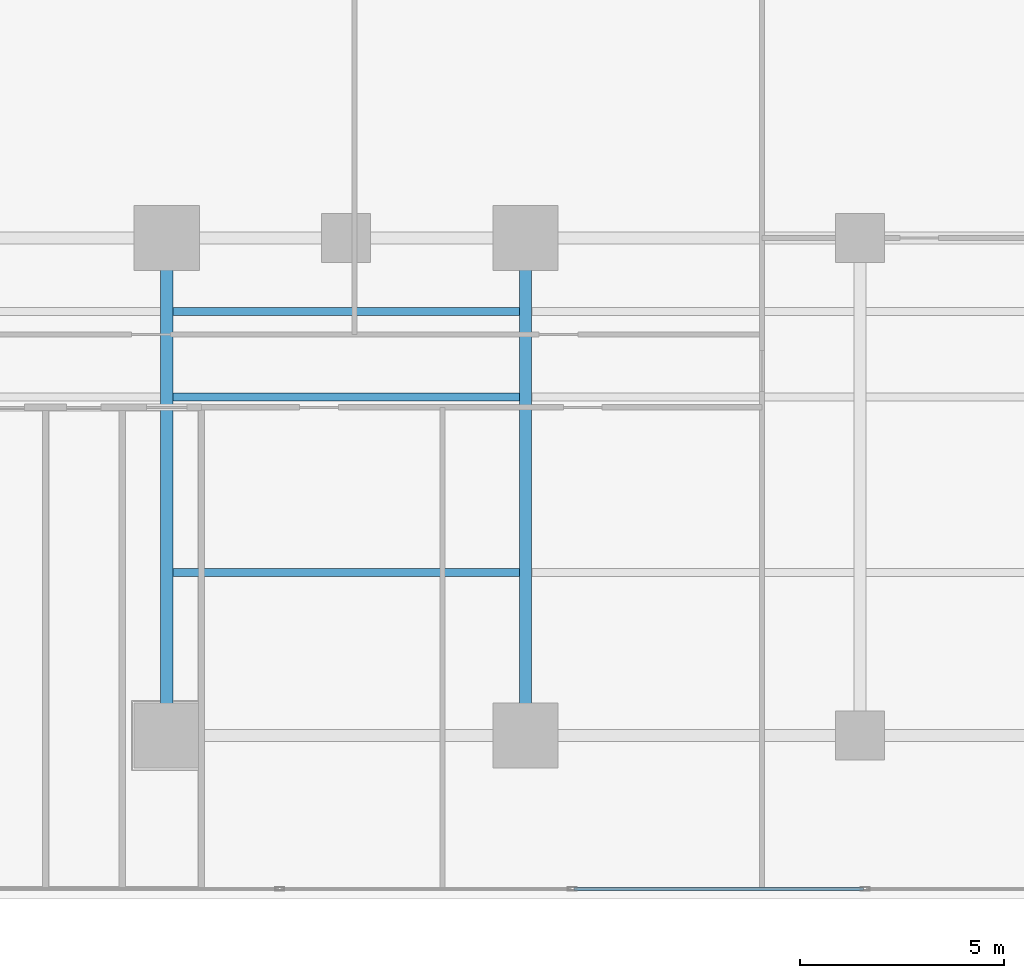
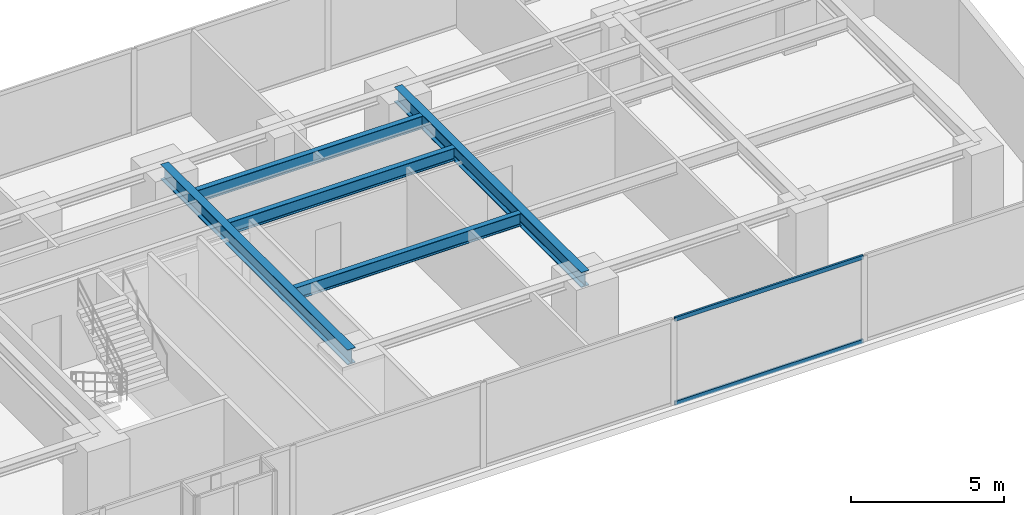
# One storey, part 10 of 28: 5 beams, 2 members, 1 element without a shape of its own.
"""IFC4 building model written with IfcOpenShell, lengths in metres."""

import ifcopenshell
import ifcopenshell.guid

model = None  # the IFC model being written
_history = None  # IfcOwnerHistory: only IFC2X3 demands one
_inside = {}  # id of a spatial element -> (the spatial element, [elements in it])
_under = {}  # id of a project, library or spatial element -> (it, [spatial elements below it])
_declared = {}  # id of a project -> (the project, [libraries it declares])
_typed = {}  # id of a type object -> (the type object, [elements of that type])
_made_of = {}  # id of a material, layer set ... -> (it, [elements and type objects made of it])


def new_model(schema):
    """Start an empty IFC model of exactly this schema.

    Asked for "IFC4X3", IfcOpenShell would pick the latest addendum, in which some entities
    have other attributes; the version numbers below select the first issue.
    IFC2X3 requires an IfcOwnerHistory on every rooted entity: one is made here for all.
    """
    global model, _history
    if schema == "IFC4X3":
        model = ifcopenshell.file(schema_version=(4, 3, 0, 0))
    else:
        model = ifcopenshell.file(schema=schema)
    _inside.clear()
    _under.clear()
    _declared.clear()
    _typed.clear()
    _made_of.clear()
    _history = None
    if model.schema == "IFC2X3":
        org = make("IfcOrganization", Name="unknown")
        user = make(
            "IfcPersonAndOrganization",
            ThePerson=make("IfcPerson", FamilyName="unknown"),
            TheOrganization=org,
        )
        app = make(
            "IfcApplication",
            ApplicationDeveloper=org,
            Version="unknown",
            ApplicationFullName="unknown",
            ApplicationIdentifier="unknown",
        )
        _history = make(
            "IfcOwnerHistory",
            OwningUser=user,
            OwningApplication=app,
            ChangeAction="ADDED",
            CreationDate=0,
        )
    return model


def make(cls, **values):
    """One entity of the class cls with the attributes given. An attribute that is None is left unset."""
    return model.create_entity(
        cls, **{name: value for name, value in values.items() if value is not None}
    )


def rooted(cls, **values):
    """An entity with a GlobalId (a new one), such as an element, a storey or a relation."""
    return make(cls, GlobalId=ifcopenshell.guid.new(), OwnerHistory=_history, **values)


def si_unit(unit_type, name, prefix=None):
    """IfcSIUnit, for example si_unit("LENGTHUNIT", "METRE", prefix="MILLI")."""
    return make("IfcSIUnit", UnitType=unit_type, Prefix=prefix, Name=name)


def assignment(units):
    """IfcUnitAssignment: the units of a project."""
    return None if units is None else make("IfcUnitAssignment", Units=units)


def point(xyz):
    """IfcCartesianPoint."""
    return None if xyz is None else make("IfcCartesianPoint", Coordinates=xyz)


def direction(xyz):
    """IfcDirection."""
    return None if xyz is None else make("IfcDirection", DirectionRatios=xyz)


def frame(location, z_axis=None, x_axis=None):
    """IfcAxis2Placement3D, a coordinate frame: its origin and axes. An axis left out is left unset."""
    return make(
        "IfcAxis2Placement3D",
        Location=point(location),
        Axis=direction(z_axis),
        RefDirection=direction(x_axis),
    )


def frame_2d(location, x_axis=None):
    """IfcAxis2Placement2D, a coordinate frame in the plane: its origin and x axis."""
    return make(
        "IfcAxis2Placement2D", Location=point(location), RefDirection=direction(x_axis)
    )


def origin():
    """The frame at (0, 0, 0) with its axes left unset."""
    return frame((0.0, 0.0, 0.0))


def origin_with_axes():
    """The frame at (0, 0, 0) with the z axis (0, 0, 1) and the x axis (1, 0, 0) written out."""
    return frame((0.0, 0.0, 0.0), z_axis=(0.0, 0.0, 1.0), x_axis=(1.0, 0.0, 0.0))


def origin_2d():
    """The frame at (0, 0) in the plane with its x axis left unset."""
    return frame_2d((0.0, 0.0))


def place(relative_to, where):
    """IfcLocalPlacement: puts the frame where relative to a parent placement (None: the world)."""
    return make(
        "IfcLocalPlacement", PlacementRelTo=relative_to, RelativePlacement=where
    )


def context(
    kind, dimensions, precision=None, world=None, true_north=None, identifier=None
):
    """IfcGeometricRepresentationContext, for example the 3D "Model" context."""
    return make(
        "IfcGeometricRepresentationContext",
        ContextIdentifier=identifier,
        ContextType=kind,
        CoordinateSpaceDimension=dimensions,
        Precision=precision,
        WorldCoordinateSystem=world,
        TrueNorth=true_north,
    )


def subcontext(parent, identifier, kind, view, scale=None):
    """IfcGeometricRepresentationSubContext, for example "Body" below "Model"."""
    return make(
        "IfcGeometricRepresentationSubContext",
        ContextIdentifier=identifier,
        ContextType=kind,
        ParentContext=parent,
        TargetScale=scale,
        TargetView=view,
    )


def project(units=None, contexts=None):
    """IfcProject with its units and contexts."""
    return rooted(
        "IfcProject",
        Name="project",
        RepresentationContexts=contexts,
        UnitsInContext=assignment(units),
    )


def spatial(cls, under=None, at=None, **own):
    """A site, building, storey or space (cls), placed at a placement, below another one or the project."""
    s = rooted(cls, ObjectPlacement=at, **own)
    if under is not None:
        _under.setdefault(under.id(), (under, []))[1].append(s)
    return s


def profile(cls, at=None, kind="AREA", **sizes):
    """A parametric profile (cls). Its sizes go by their IFC names, for example OverallWidth=200.0."""
    return make(cls, ProfileType=kind, Position=at, **sizes)


def hollow_rectangle(**sizes):
    """IfcRectangleHollowProfileDef."""
    return profile("IfcRectangleHollowProfileDef", **sizes)


def i_section(**sizes):
    """IfcIShapeProfileDef."""
    return profile("IfcIShapeProfileDef", **sizes)


def extrude(swept, where, along, depth):
    """IfcExtrudedAreaSolid: the profile swept, set in the frame where, extruded along a direction by depth."""
    return make(
        "IfcExtrudedAreaSolid",
        SweptArea=swept,
        Position=where,
        ExtrudedDirection=direction(along),
        Depth=depth,
    )


def shape(context_of_items, identifier, shape_type, items):
    """IfcShapeRepresentation: the items that make up one representation, for example the "Body"."""
    return make(
        "IfcShapeRepresentation",
        ContextOfItems=context_of_items,
        RepresentationIdentifier=identifier,
        RepresentationType=shape_type,
        Items=items,
    )


def source(mapping_origin, context_of_items, identifier, shape_type, items):
    """IfcRepresentationMap: a shape defined once, which mapped items show again and again."""
    return make(
        "IfcRepresentationMap",
        MappingOrigin=mapping_origin,
        MappedRepresentation=shape(context_of_items, identifier, shape_type, items),
    )


def transform(
    local_origin,
    x_axis=None,
    y_axis=None,
    z_axis=None,
    scale=None,
    scale2=None,
    scale3=None,
    uniform=True,
):
    """IfcCartesianTransformationOperator3D, or its non-uniform kind. x_axis, y_axis, z_axis: its Axis1, 2, 3."""
    if uniform:
        return make(
            "IfcCartesianTransformationOperator3D",
            Axis1=direction(x_axis),
            Axis2=direction(y_axis),
            LocalOrigin=point(local_origin),
            Scale=scale,
            Axis3=direction(z_axis),
        )
    return make(
        "IfcCartesianTransformationOperator3DnonUniform",
        Axis1=direction(x_axis),
        Axis2=direction(y_axis),
        LocalOrigin=point(local_origin),
        Scale=scale,
        Axis3=direction(z_axis),
        Scale2=scale2,
        Scale3=scale3,
    )


def mapped(mapping_source, mapping_target):
    """IfcMappedItem: shows the shape of a source again, moved by a transform."""
    return make(
        "IfcMappedItem", MappingSource=mapping_source, MappingTarget=mapping_target
    )


def material(Name=None, Category=None):
    """IfcMaterial."""
    return make("IfcMaterial", Name=Name, Category=Category)


def layer(
    of_material, thickness, ventilated=None, Name=None, Category=None, Priority=None
):
    """IfcMaterialLayer: one layer of a wall or slab, of a material (None: an air gap)."""
    return make(
        "IfcMaterialLayer",
        Material=of_material,
        LayerThickness=thickness,
        IsVentilated=ventilated,
        Name=Name,
        Category=Category,
        Priority=Priority,
    )


def layer_set(layers, Name=None):
    """IfcMaterialLayerSet."""
    return make("IfcMaterialLayerSet", MaterialLayers=layers, LayerSetName=Name)


def material_profile(
    of_material, cross_section, Name=None, Category=None, Priority=None
):
    """IfcMaterialProfile: a cross section and its material."""
    return make(
        "IfcMaterialProfile",
        Name=Name,
        Material=of_material,
        Profile=cross_section,
        Priority=Priority,
        Category=Category,
    )


def profile_set(profiles, Name=None, composite=None):
    """IfcMaterialProfileSet."""
    return make(
        "IfcMaterialProfileSet",
        Name=Name,
        MaterialProfiles=profiles,
        CompositeProfile=composite,
    )


def made_of(thing, what):
    """Note that an element or type object is made of a material, layer set ...; save() writes the relation."""
    if what is not None:
        _made_of.setdefault(what.id(), (what, []))[1].append(thing)
    return thing


def type_object(cls, material=None, **own):
    """A type object (cls), such as IfcWallType, which elements share."""
    return made_of(rooted(cls, **own), material)


def element(
    cls,
    number,
    at=None,
    inside=None,
    cuts=None,
    type_object=None,
    material=None,
    context=None,
    identifier="Body",
    shape_type=None,
    held_by="IfcProductDefinitionShape",
    body=None,
    shapes=None,
    **own,
):
    """One element of the class cls, such as IfcWall. Its Tag is "e" and its number.

    at: its placement. inside: the storey or other place that contains it. cuts: it is an
    opening in that element (IfcRelVoidsElement). A single representation is given by context,
    identifier, shape_type and body (its items); several are given by shapes. held_by: the class
    of the entity that holds the representations. save() writes the other relations.
    """
    e = rooted(cls, Tag="e%d" % number, ObjectPlacement=at, **own)
    if body is not None:
        shapes = [shape(context, identifier, shape_type, body)]
    if shapes is not None:
        e.Representation = make(held_by, Representations=shapes)
    if inside is not None:
        _inside.setdefault(inside.id(), (inside, []))[1].append(e)
    if cuts is not None:
        rooted(
            "IfcRelVoidsElement", RelatingBuildingElement=cuts, RelatedOpeningElement=e
        )
    if type_object is not None:
        _typed.setdefault(type_object.id(), (type_object, []))[1].append(e)
    return made_of(e, material)


def aggregate(whole, parts):
    """IfcRelAggregates: a whole, such as a stair, and the parts it consists of."""
    return rooted("IfcRelAggregates", RelatingObject=whole, RelatedObjects=parts)


def save(model, path):
    """Write the relations noted so far, then the file.

    IfcRelAggregates (storeys below a building ...), IfcRelContainedInSpatialStructure (elements
    in a storey), IfcRelDefinesByType, IfcRelAssociatesMaterial and IfcRelDeclares: one each for
    every whole, place, type object, material and project.
    """
    for whole, parts in _under.values():
        aggregate(whole, parts)
    for where, things in _inside.values():
        rooted(
            "IfcRelContainedInSpatialStructure",
            RelatedElements=things,
            RelatingStructure=where,
        )
    for kind, things in _typed.values():
        rooted("IfcRelDefinesByType", RelatedObjects=things, RelatingType=kind)
    for what, things in _made_of.values():
        rooted("IfcRelAssociatesMaterial", RelatedObjects=things, RelatingMaterial=what)
    for by, libraries in _declared.values():
        rooted("IfcRelDeclares", RelatingContext=by, RelatedDefinitions=libraries)
    model.write(path)


model = new_model("IFC4")

# Units and contexts
model_context = context("Model", 3, precision=1e-05, world=origin(), true_north=direction((0.0, 1.0)))
body_context = subcontext(model_context, "Body", "Model", "MODEL_VIEW")
ifc_project = project(units=[si_unit("LENGTHUNIT", "METRE"), si_unit("AREAUNIT", "SQUARE_METRE"), si_unit("VOLUMEUNIT", "CUBIC_METRE"), si_unit("PLANEANGLEUNIT", "RADIAN"), si_unit("MASSUNIT", "GRAM", prefix="KILO")], contexts=[model_context])

# Site, building, storey
site_placement = place(None, origin())
site = spatial("IfcSite", under=ifc_project, at=site_placement, CompositionType="ELEMENT")
building_placement = place(site_placement, origin())
building = spatial("IfcBuilding", under=site, at=building_placement, Name="Kolvaren Waterfront Exchange", CompositionType="ELEMENT")
storey_placement = place(building_placement, frame((0.0, 0.0, 79.0)))
storey = spatial("IfcBuildingStorey", under=building, at=storey_placement, Name="L20", CompositionType="ELEMENT", Elevation=79.0)

# Beams
ifc_material_1 = material(Name="Steel S355", Category="steel")
ifc_material_profile_1 = material_profile(ifc_material_1, i_section(OverallWidth=0.300048828125, OverallDepth=0.60009765625, WebThickness=0.015380859375, FlangeThickness=0.030029296875, FilletRadius=0.027099609375, at=origin_2d()), Name="HEB600")
ifc_profile_set_1 = profile_set([ifc_material_profile_1], Name="Steel S355")
beam_type_1 = type_object("IfcBeamType", Name="STR-BM-HEB600", PredefinedType="BEAM", material=ifc_profile_set_1)
for number, where, z_axis, x_axis, name in (
    (1, (36.800048828125, 5.199951171875, 3.1201171875), (0.0, 1.0, 0.0), (-1.0, 0.0, 0.0), "L20 east-arm transverse girder X36"),
    (2, (45.60009765625, 5.199951171875, 3.1201171875), (0.0, 1.0, 0.0), (-1.0, 0.0, 0.0), "L20 east-arm transverse girder X45"),
):
    element("IfcBeam", number, at=place(storey_placement, frame(where, z_axis=z_axis, x_axis=x_axis)), inside=storey, type_object=beam_type_1, Name=name, PredefinedType="BEAM", context=body_context, shape_type="SweptSolid", body=[
        extrude(i_section(OverallWidth=0.300048828125, OverallDepth=0.60009765625, WebThickness=0.015380859375, FlangeThickness=0.030029296875, FilletRadius=0.027099609375, at=origin_2d()), origin(), (0.0, 0.0, 1.0), 12.199951171875),
    ])
ifc_material_profile_2 = material_profile(ifc_material_1, i_section(OverallWidth=0.199951171875, OverallDepth=0.5, WebThickness=0.01025390625, FlangeThickness=0.01611328125, FilletRadius=0.02099609375, at=origin_2d()), Name="IPE500")
ifc_profile_set_2 = profile_set([ifc_material_profile_2], Name="Steel S355")
beam_type_2 = type_object("IfcBeamType", Name="STR-BM-IPE500", PredefinedType="JOIST", material=ifc_profile_set_2)
for number, where, z_axis, x_axis, name in (
    (3, (36.951904296875, 13.5, 3.169921875), (1.0, 0.0, 0.0), (0.0, 1.0, 0.0), "L20 east-arm composite joist 3A"),
    (4, (36.951904296875, 15.60009765625, 3.169921875), (1.0, 0.0, 0.0), (0.0, 1.0, 0.0), "L20 east-arm composite joist 3C"),
    (5, (36.951904296875, 9.199951171875, 3.169921875), (1.0, 0.0, 0.0), (0.0, 1.0, 0.0), "L20 east-arm composite joist 3B"),
):
    element("IfcBeam", number, at=place(storey_placement, frame(where, z_axis=z_axis, x_axis=x_axis)), inside=storey, type_object=beam_type_2, Name=name, PredefinedType="JOIST", context=body_context, shape_type="SweptSolid", body=[
        extrude(i_section(OverallWidth=0.199951171875, OverallDepth=0.5, WebThickness=0.01025390625, FlangeThickness=0.01611328125, FilletRadius=0.02099609375, at=origin_2d()), origin(), (0.0, 0.0, 1.0), 8.49609375),
    ])

# Curtain wall, members
ifc_material_2 = material(Name="Anodised bronze aluminium 6063-T6", Category="aluminium")
ifc_layer = layer(ifc_material_2, 0.219970703125, Name="Anodised bronze aluminium 6063-T6")
ifc_layer_set = layer_set([ifc_layer], Name="Anodised bronze aluminium 6063-T6")
curtain_wall_type = type_object("IfcCurtainWallType", Name="ARC-CW-SYS1", PredefinedType="USERDEFINED", material=ifc_layer_set)
curtain_wall_placement = place(storey_placement, origin())
curtain_wall = element("IfcCurtainWall", 6, at=curtain_wall_placement, inside=storey, type_object=curtain_wall_type, Name="L20 stick curtain wall CW1 (CW-L20-S)", ObjectType="STICK CURTAIN WALL", PredefinedType="USERDEFINED")
ifc_material_3 = material(Name="Anodised aluminium 6063-T6", Category="aluminium")
ifc_material_profile_3 = material_profile(ifc_material_3, hollow_rectangle(XDim=0.074951171875, YDim=0.159912109375, WallThickness=0.00439453125, at=origin_2d()), Name="ALU-TRN-160x75x4.5")
ifc_profile_set_3 = profile_set([ifc_material_profile_3], Name="Anodised aluminium 6063-T6")
member_type = type_object("IfcMemberType", Name="ARC-CWT-160", PredefinedType="USERDEFINED", material=ifc_profile_set_3)
shared_shape = source(origin_with_axes(), body_context, "Body", "SweptSolid", [
    extrude(hollow_rectangle(XDim=0.074951171875, YDim=0.159912109375, WallThickness=0.00439453125, at=origin_2d()), origin(), (0.0, 0.0, 1.0), 7.094970703125),
])
member_1_placement = place(storey_placement, frame((46.7900390625, 1.43994140625, 0.03759765625), z_axis=(1.0, 0.0, 0.0), x_axis=(0.0, 1.0, 0.0)))
member_1 = element("IfcMember", 7, at=member_1_placement, type_object=member_type, Name="CW1 transom 7.1", ObjectType="TRANSOM", PredefinedType="USERDEFINED", context=body_context, shape_type="MappedRepresentation", body=[
    mapped(shared_shape, transform((0.0, 0.0, 0.0), x_axis=(1.0, 0.0, 0.0), y_axis=(0.0, 1.0, 0.0), z_axis=(0.0, 0.0, 1.0), scale=1.0)),
])
member_2_placement = place(storey_placement, frame((46.7900390625, 1.43994140625, 3.382568359375), z_axis=(1.0, 0.0, 0.0), x_axis=(0.0, 1.0, 0.0)))
member_2 = element("IfcMember", 8, at=member_2_placement, type_object=member_type, Name="CW1 transom 7.2", ObjectType="TRANSOM", PredefinedType="USERDEFINED", context=body_context, shape_type="MappedRepresentation", body=[
    mapped(shared_shape, transform((0.0, 0.0, 0.0), x_axis=(1.0, 0.0, 0.0), y_axis=(0.0, 1.0, 0.0), z_axis=(0.0, 0.0, 1.0), scale=1.0)),
])
aggregate(curtain_wall, [member_1, member_2])

save(model, "model.ifc")
